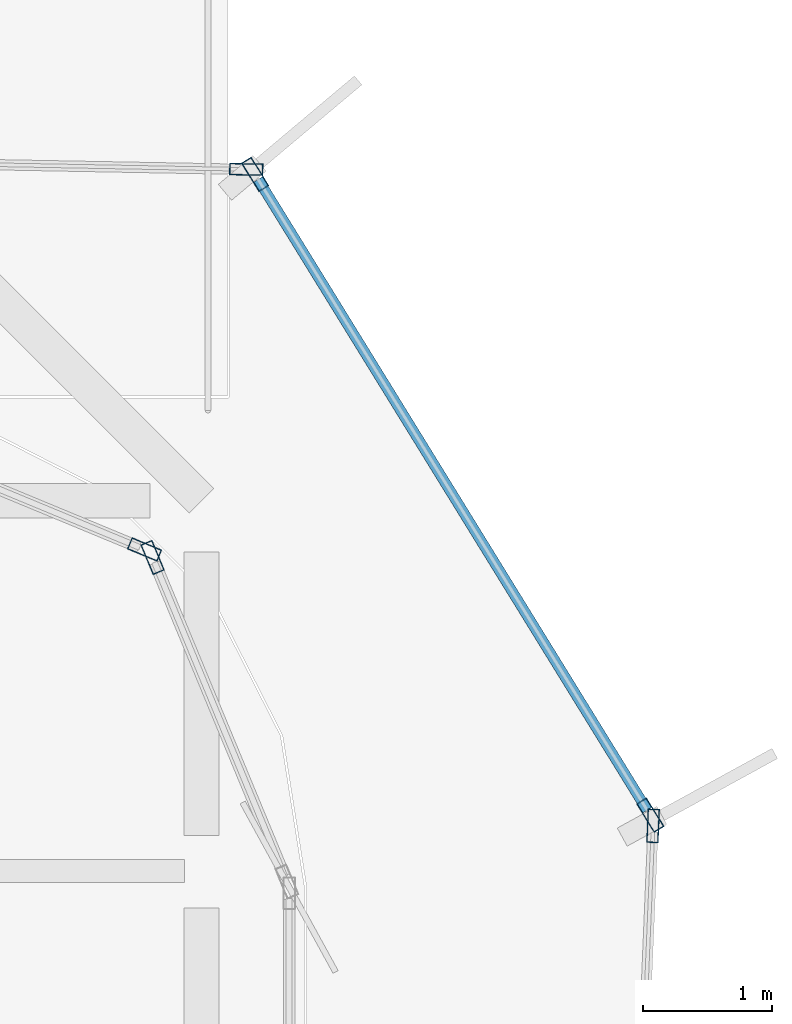
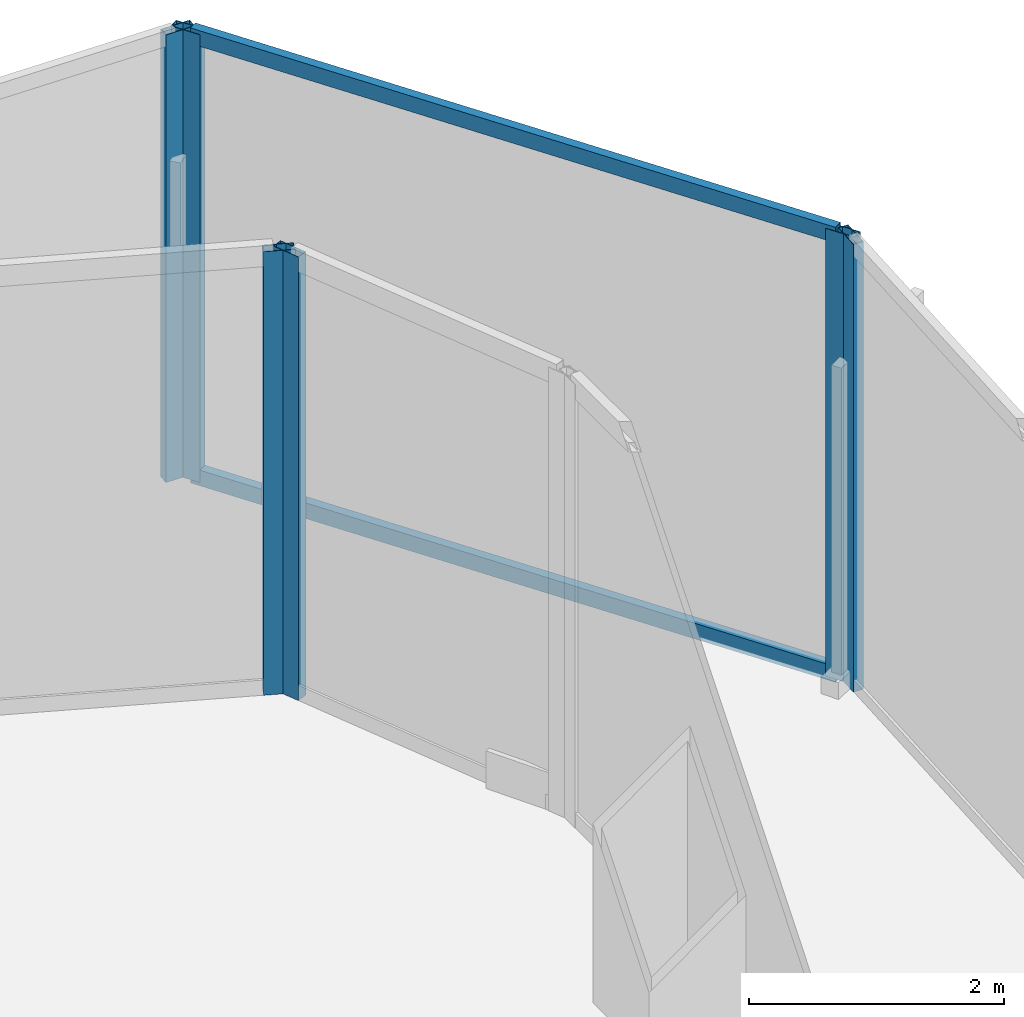
# One storey, part 15 of 21: 8 members, 5 elements without a shape of their own.
"""IFC4 building model written with IfcOpenShell, lengths in metres."""

from ifc_helpers import new_model, si_unit, direction, frame, origin, origin_2d, place, context, subcontext, project, spatial, hollow_rectangle, extrude, source, transform, mapped, material, layer, layer_set, material_profile, profile_set, type_object, element, aggregate, save


model = new_model("IFC4")

# Units and contexts
model_context = context("Model", 3, precision=1e-05, world=origin(), true_north=direction((0.0, 1.0)))
body_context = subcontext(model_context, "Body", "Model", "MODEL_VIEW")
ifc_project = project(units=[si_unit("LENGTHUNIT", "METRE"), si_unit("AREAUNIT", "SQUARE_METRE"), si_unit("VOLUMEUNIT", "CUBIC_METRE"), si_unit("PLANEANGLEUNIT", "RADIAN"), si_unit("MASSUNIT", "GRAM", prefix="KILO")], contexts=[model_context])

# Site, building, storey
site_placement = place(None, origin())
site = spatial("IfcSite", under=ifc_project, at=site_placement, CompositionType="ELEMENT")
building_placement = place(site_placement, origin())
building = spatial("IfcBuilding", under=site, at=building_placement, Name="Kolveth Station Tower", CompositionType="ELEMENT")
storey_placement = place(building_placement, frame((0.0, 0.0, 88.199951171875)))
storey = spatial("IfcBuildingStorey", under=building, at=storey_placement, Name="L23", CompositionType="ELEMENT", Elevation=88.199951171875)

# Curtain wall, member
ifc_material_1 = material(Name="Aluminium 6063-T6 and acoustic laminated dark glass", Category="aluminium")
ifc_layer_1 = layer(ifc_material_1, 0.219970703125)
ifc_layer_set_1 = layer_set([ifc_layer_1], Name="Aluminium 6063-T6 and acoustic laminated dark glass")
curtain_wall_type_1 = type_object("IfcCurtainWallType", Name="CurtainWall_CW-SL", PredefinedType="NOTDEFINED", material=ifc_layer_set_1)
curtain_wall_1_placement = place(storey_placement, origin())
curtain_wall_1 = element("IfcCurtainWall", 1, at=curtain_wall_1_placement, inside=storey, type_object=curtain_wall_type_1, Name="L23 Inner Thermal Curtain Wall 4", PredefinedType="NOTDEFINED")
ifc_material_2 = material(Name="Black anodized aluminium 6063-T6", Category="aluminium")
ifc_material_profile_1 = material_profile(ifc_material_2, hollow_rectangle(XDim=0.094970703125, YDim=0.25, WallThickness=0.0048828125, at=origin_2d()), Name="ALU-95x250x5")
ifc_profile_set_1 = profile_set([ifc_material_profile_1], Name="Black anodized aluminium 6063-T6")
member_type_1 = type_object("IfcMemberType", Name="Mullion_ML-SL", PredefinedType="MULLION", material=ifc_profile_set_1)
shared_shape_1 = source(origin(), body_context, "Body", "SweptSolid", [
    extrude(hollow_rectangle(XDim=0.094970703125, YDim=0.25, WallThickness=0.0048828125, at=origin_2d()), origin(), (0.0, 0.0, 1.0), 4.25),
])
member_1_placement = place(storey_placement, frame((45.8203125, 34.058349609375, 0.0), z_axis=(0.0, 0.0, 1.0), x_axis=(-0.923887883787, -0.38266326998, 0.0)))
member_1 = element("IfcMember", 2, at=member_1_placement, type_object=member_type_1, Name="CW-SL mullion 2", PredefinedType="MULLION", context=body_context, shape_type="MappedRepresentation", body=[
    mapped(shared_shape_1, transform((0.0, 0.0, 0.0), x_axis=(1.0, 0.0, 0.0), y_axis=(0.0, 1.0, 0.0), z_axis=(0.0, 0.0, 1.0), scale=1.0)),
])
aggregate(curtain_wall_1, [member_1])

curtain_wall_2_placement = place(storey_placement, origin())
curtain_wall_2 = element("IfcCurtainWall", 3, at=curtain_wall_2_placement, inside=storey, type_object=curtain_wall_type_1, Name="L23 Inner Thermal Curtain Wall 5", PredefinedType="NOTDEFINED")
member_2_placement = place(storey_placement, frame((45.75830078125, 34.120361328125, 0.0), z_axis=(0.0, 0.0, 1.0), x_axis=(-0.38266326998, -0.923887883787, 0.0)))
member_2 = element("IfcMember", 4, at=member_2_placement, type_object=member_type_1, Name="CW-SL mullion 1", PredefinedType="MULLION", context=body_context, shape_type="MappedRepresentation", body=[
    mapped(shared_shape_1, transform((0.0, 0.0, 0.0), x_axis=(1.0, 0.0, 0.0), y_axis=(0.0, 1.0, 0.0), z_axis=(0.0, 0.0, 1.0), scale=1.0)),
])
aggregate(curtain_wall_2, [member_2])

ifc_material_3 = material(Name="Black anodized aluminium 6063-T6 and dark solar glass", Category="aluminium")
ifc_layer_2 = layer(ifc_material_3, 0.159912109375)
ifc_layer_set_2 = layer_set([ifc_layer_2], Name="Black anodized aluminium 6063-T6 and dark solar glass")
curtain_wall_type_2 = type_object("IfcCurtainWallType", Name="OUTER SKIN CW-OS", PredefinedType="NOTDEFINED", material=ifc_layer_set_2)
curtain_wall_3_placement = place(storey_placement, origin())
curtain_wall_3 = element("IfcCurtainWall", 5, at=curtain_wall_3_placement, inside=storey, type_object=curtain_wall_type_2, Name="L23 Outer Ventilated Skin Curtain Wall 2", PredefinedType="NOTDEFINED")
ifc_material_profile_2 = material_profile(ifc_material_2, hollow_rectangle(XDim=0.090087890625, YDim=0.260009765625, WallThickness=0.0048828125, at=origin_2d()), Name="ALU-90x260x5")
ifc_profile_set_2 = profile_set([ifc_material_profile_2], Name="Black anodized aluminium 6063-T6")
member_type_2 = type_object("IfcMemberType", Name="FIN MULLION ML-OS", PredefinedType="MULLION", material=ifc_profile_set_2)
shared_shape_2 = source(origin(), body_context, "Body", "SweptSolid", [
    extrude(hollow_rectangle(XDim=0.090087890625, YDim=0.260009765625, WallThickness=0.0048828125, at=origin_2d()), origin(), (0.0, 0.0, 1.0), 4.2900390625),
])
member_3_placement = place(storey_placement, frame((49.703857421875, 31.975830078125, 0.0), z_axis=(0.0, 0.0, 1.0), x_axis=(-0.999125016659, 0.041823451378, 0.0)))
member_3 = element("IfcMember", 6, at=member_3_placement, type_object=member_type_2, Name="CW-OS mullion 2", PredefinedType="MULLION", context=body_context, shape_type="MappedRepresentation", body=[
    mapped(shared_shape_2, transform((0.0, 0.0, 0.0), x_axis=(1.0, 0.0, 0.0), y_axis=(0.0, 1.0, 0.0), z_axis=(0.0, 0.0, 1.0), scale=1.0)),
])
aggregate(curtain_wall_3, [member_3])

# Curtain wall, members
curtain_wall_4_placement = place(storey_placement, origin())
curtain_wall_4 = element("IfcCurtainWall", 7, at=curtain_wall_4_placement, inside=storey, type_object=curtain_wall_type_2, Name="L23 Outer Ventilated Skin Curtain Wall 3", PredefinedType="NOTDEFINED")
member_4_placement = place(storey_placement, frame((49.68212890625, 32.05908203125, 0.0), z_axis=(0.0, 0.0, 1.0), x_axis=(-0.851099172296, -0.525004951327, 0.0)))
member_4 = element("IfcMember", 8, at=member_4_placement, type_object=member_type_2, Name="CW-OS mullion 1", PredefinedType="MULLION", context=body_context, shape_type="MappedRepresentation", body=[
    mapped(shared_shape_2, transform((0.0, 0.0, 0.0), x_axis=(1.0, 0.0, 0.0), y_axis=(0.0, 1.0, 0.0), z_axis=(0.0, 0.0, 1.0), scale=1.0)),
])
member_5_placement = place(storey_placement, frame((46.61572265625, 37.030029296875, 0.0), z_axis=(0.0, 0.0, 1.0), x_axis=(-0.851099172296, -0.525004951327, 0.0)))
member_5 = element("IfcMember", 9, at=member_5_placement, type_object=member_type_2, Name="CW-OS mullion 2", PredefinedType="MULLION", context=body_context, shape_type="MappedRepresentation", body=[
    mapped(shared_shape_2, transform((0.0, 0.0, 0.0), x_axis=(1.0, 0.0, 0.0), y_axis=(0.0, 1.0, 0.0), z_axis=(0.0, 0.0, 1.0), scale=1.0)),
])

# Curtain wall, member
curtain_wall_5_placement = place(storey_placement, origin())
curtain_wall_5 = element("IfcCurtainWall", 10, at=curtain_wall_5_placement, inside=storey, type_object=curtain_wall_type_2, Name="L23 Outer Ventilated Skin Curtain Wall 4", PredefinedType="NOTDEFINED")
member_6_placement = place(storey_placement, frame((46.547119140625, 37.0693359375, 0.0), z_axis=(0.0, 0.0, 1.0), x_axis=(-0.018594610293, -0.999827105288, 0.0)))
member_6 = element("IfcMember", 11, at=member_6_placement, type_object=member_type_2, Name="CW-OS mullion 1", PredefinedType="MULLION", context=body_context, shape_type="MappedRepresentation", body=[
    mapped(shared_shape_2, transform((0.0, 0.0, 0.0), x_axis=(1.0, 0.0, 0.0), y_axis=(0.0, 1.0, 0.0), z_axis=(0.0, 0.0, 1.0), scale=1.0)),
])
aggregate(curtain_wall_5, [member_6])

# Member
ifc_material_profile_3 = material_profile(ifc_material_2, hollow_rectangle(XDim=0.080078125, YDim=0.14990234375, WallThickness=0.0048828125, at=origin_2d()), Name="ALU-80x150x5")
ifc_profile_set_3 = profile_set([ifc_material_profile_3], Name="Black anodized aluminium 6063-T6")
member_type_3 = type_object("IfcMemberType", Name="Transom_TR-OS", PredefinedType="USERDEFINED", material=ifc_profile_set_3)
shared_shape_3 = source(origin(), body_context, "Body", "SweptSolid", [
    extrude(hollow_rectangle(XDim=0.080078125, YDim=0.14990234375, WallThickness=0.0048828125, at=origin_2d()), origin(), (0.0, 0.0, 1.0), 5.75048828125),
])
member_7_placement = place(storey_placement, frame((49.658447265625, 32.097412109375, 0.0400390625), z_axis=(-0.525001992171, 0.851100997659, 0.0), x_axis=(-0.851100997659, -0.525001992171, 0.0)))
member_7 = element("IfcMember", 12, at=member_7_placement, type_object=member_type_3, Name="CW-OS transom 1.1", ObjectType="TRANSOM", PredefinedType="USERDEFINED", context=body_context, shape_type="MappedRepresentation", body=[
    mapped(shared_shape_3, transform((0.0, 0.0, 0.0), x_axis=(1.0, 0.0, 0.0), y_axis=(0.0, 1.0, 0.0), z_axis=(0.0, 0.0, 1.0), scale=1.0)),
])

member_8_placement = place(storey_placement, frame((49.658447265625, 32.097412109375, 4.25), z_axis=(-0.525001992171, 0.851100997659, 0.0), x_axis=(-0.851100997659, -0.525001992171, 0.0)))
member_8 = element("IfcMember", 13, at=member_8_placement, type_object=member_type_3, Name="CW-OS transom 1.2", ObjectType="TRANSOM", PredefinedType="USERDEFINED", context=body_context, shape_type="MappedRepresentation", body=[
    mapped(shared_shape_3, transform((0.0, 0.0, 0.0), x_axis=(1.0, 0.0, 0.0), y_axis=(0.0, 1.0, 0.0), z_axis=(0.0, 0.0, 1.0), scale=1.0)),
])

aggregate(curtain_wall_4, [member_4, member_5, member_7, member_8])

save(model, "model.ifc")
